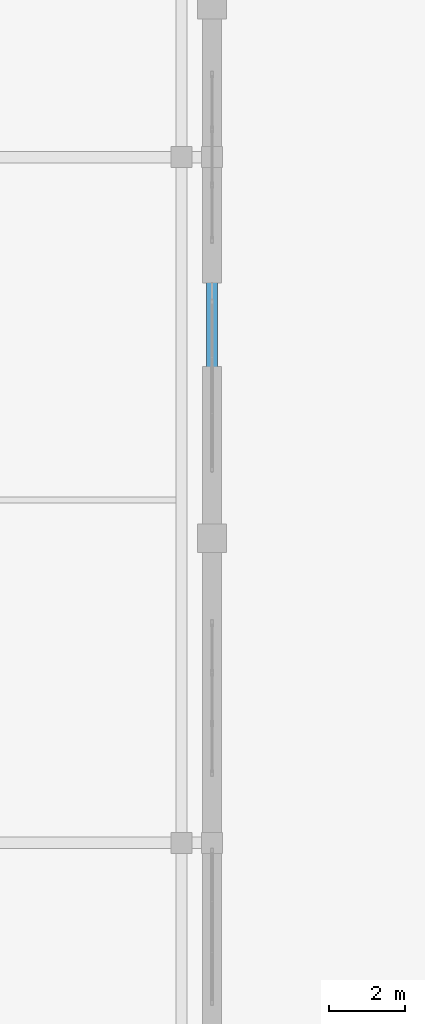
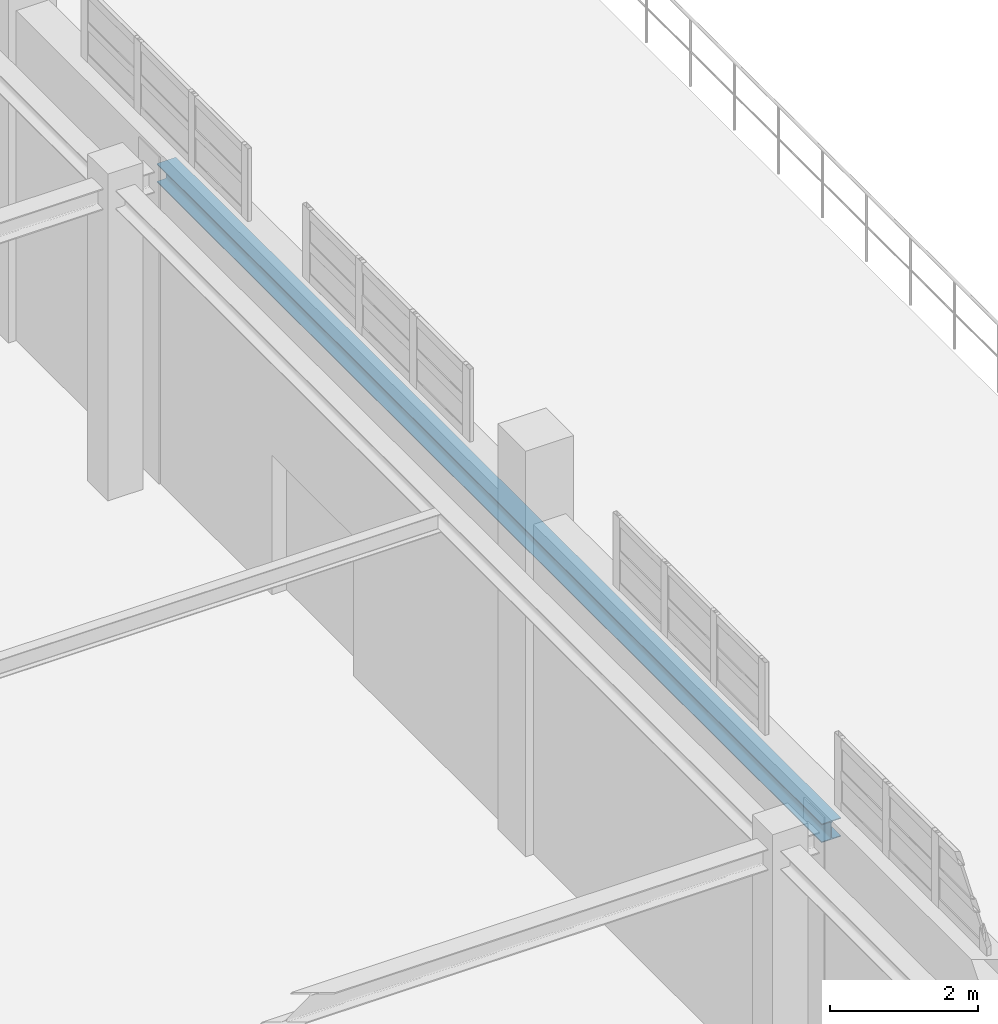
# One storey, part 107 of 197: 1 beam.
"""IFC4 building model written with IfcOpenShell, lengths in metres."""

from ifc_helpers import new_model, si_unit, derived_unit, direction, frame, origin, origin_2d, place, context, subcontext, project, spatial, i_section, extrude, material, material_profile, profile_set, type_object, element, save


model = new_model("IFC4")

# Units and contexts
model_context = context("Model", 3, precision=1e-05, world=origin(), true_north=direction((0.0, 1.0)))
body_context = subcontext(model_context, "Body", "Model", "MODEL_VIEW")
ifc_project = project(units=[si_unit("LENGTHUNIT", "METRE"), si_unit("AREAUNIT", "SQUARE_METRE"), si_unit("VOLUMEUNIT", "CUBIC_METRE"), si_unit("PLANEANGLEUNIT", "RADIAN"), si_unit("MASSUNIT", "GRAM", prefix="KILO"), derived_unit("THERMALTRANSMITTANCEUNIT", [(si_unit("POWERUNIT", "WATT"), 1), (si_unit("LENGTHUNIT", "METRE"), -2), (si_unit("THERMODYNAMICTEMPERATUREUNIT", "KELVIN"), -1)])], contexts=[model_context])

# Site, building, storey
site_placement = place(None, origin())
site = spatial("IfcSite", under=ifc_project, at=site_placement, CompositionType="ELEMENT")
building_placement = place(site_placement, origin())
building = spatial("IfcBuilding", under=site, at=building_placement, Name="Almenara Railside Exhibition Hall", CompositionType="ELEMENT")
storey_placement = place(building_placement, frame((0.0, 0.0, 5.39990234375)))
storey = spatial("IfcBuildingStorey", under=building, at=storey_placement, Name="L01", CompositionType="ELEMENT", Elevation=5.39990234375)

# Beam
ifc_material = material(Name="Structural steel S355JR", Category="steel")
ifc_material_profile = material_profile(ifc_material, i_section(OverallWidth=0.300048828125, OverallDepth=0.31005859375, WebThickness=0.009033203125, FlangeThickness=0.015380859375, FilletRadius=0.027099609375, at=origin_2d()), Name="HEA 320")
ifc_profile_set = profile_set([ifc_material_profile], Name="Structural steel S355JR")
beam_type = type_object("IfcBeamType", Name="Steel Concourse Edge Beam HEA 320 S355JR", PredefinedType="BEAM", material=ifc_profile_set)
beam_placement = place(storey_placement, frame((138.0, 54.0, 4.93115234375), z_axis=(0.0, 1.0, 0.0), x_axis=(-1.0, 0.0, 0.0)))
element("IfcBeam", 1, at=beam_placement, inside=storey, type_object=beam_type, Name="Beam 0823", PredefinedType="BEAM", context=body_context, shape_type="SweptSolid", body=[
    extrude(i_section(OverallWidth=0.300048828125, OverallDepth=0.31005859375, WebThickness=0.009033203125, FlangeThickness=0.015380859375, FilletRadius=0.027099609375, at=origin_2d()), origin(), (0.0, 0.0, 1.0), 18.0),
])

save(model, "model.ifc")
